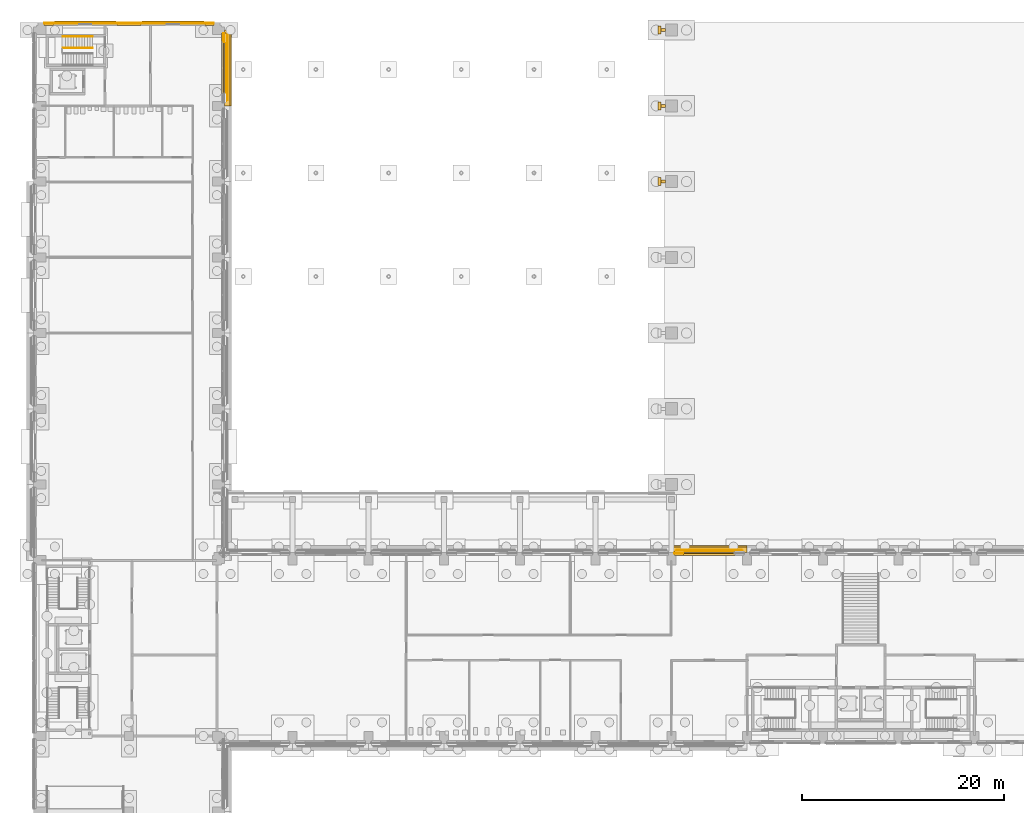
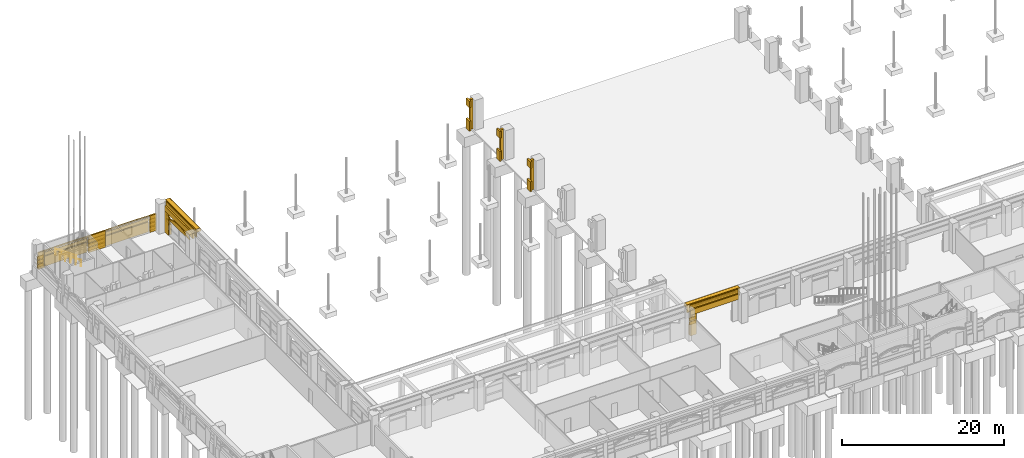
# One storey, part 76 of 99: 42 coverings, 2 railings.
"""IFC4 building model written with IfcOpenShell, lengths in metres."""

from ifc_helpers import new_model, si_unit, direction, frame, origin, origin_2d, place, context, subcontext, project, spatial, polyline, circle, outline, extrude, material, layer, layer_set, type_object, element, save


model = new_model("IFC4")

# Units and contexts
model_context = context("Model", 3, precision=1e-05, world=origin(), true_north=direction((0.0, 1.0)))
body_context = subcontext(model_context, "Body", "Model", "MODEL_VIEW")
ifc_project = project(units=[si_unit("LENGTHUNIT", "METRE"), si_unit("AREAUNIT", "SQUARE_METRE"), si_unit("VOLUMEUNIT", "CUBIC_METRE"), si_unit("PLANEANGLEUNIT", "RADIAN"), si_unit("MASSUNIT", "GRAM", prefix="KILO")], contexts=[model_context])

# Site, building, storey
site_placement = place(None, origin())
site = spatial("IfcSite", under=ifc_project, at=site_placement, CompositionType="ELEMENT")
building_placement = place(site_placement, origin())
building = spatial("IfcBuilding", under=site, at=building_placement, Name="Cour d'Honneur Mobility Palace", CompositionType="ELEMENT")
storey_placement = place(building_placement, origin())
storey = spatial("IfcBuildingStorey", under=building, at=storey_placement, Name="L00", CompositionType="ELEMENT", Elevation=0.0)

# Coverings
ifc_material_1 = material(Name="Cast limestone", Category="masonry")
ifc_layer_1 = layer(ifc_material_1, 0.050048828125)
ifc_layer_set_1 = layer_set([ifc_layer_1], Name="Cast limestone")
covering_type_1 = type_object("IfcCoveringType", Name="Arch hood", PredefinedType="CLADDING", material=ifc_layer_set_1)
covering_1_placement = place(storey_placement, frame((16.199951171875, 115.60009765625, 2.179931640625), z_axis=(0.0, 1.0, 0.0), x_axis=(-0.999557518193, 0.0, 0.029745047039)))
element("IfcCovering", 1, at=covering_1_placement, inside=storey, type_object=covering_type_1, Name="Arch hood AH-46", PredefinedType="CLADDING", context=body_context, shape_type="SweptSolid", body=[
    extrude(outline(polyline([(0.0, 0.0), (0.3939731540780232, 0.0), (0.7876587037125833, -0.0014569336089162513), (1.1815374521237358, -0.004629357372713222), (1.5753726286886405, -0.009265976719801103), (1.9691569714329225, -0.015610824247395037), (2.362897742330957, -0.023419867358279896), (2.7563509087855276, -0.032685844078080985), (3.149997274016691, -0.043667310952762814), (3.5436000674016066, -0.05611297341073553), (3.9371520269658995, -0.07026686404921434), (4.330660414683945, -0.08588495027098403), (4.7238811979585265, -0.10295997010166999), (5.1172951800097, -0.12175048008723666), (5.510665590214627, -0.14200518565609424), (5.903985166598931, -0.16396811940545788), (6.297261171136987, -0.18739524873811242), (6.303804210048556, 0.03247812135273917), (5.9105282055105, 0.055905250685393676), (5.517208629126196, 0.07786818443475732), (5.12383821892127, 0.09812289000361493), (4.730424236870096, 0.11691339998918157), (4.337203453595514, 0.13398841981986756), (3.9436950658774683, 0.14960650604163725), (3.550143106313176, 0.16376039668011602), (3.15654031292826, 0.17620605913808873), (2.762893947697097, 0.18718752601277056), (2.3694407812425258, 0.19645350273257167), (1.9757000103444915, 0.20426254584345654), (1.5819156676002095, 0.21060739337105044), (1.1880804910353049, 0.21524401271813837), (0.7942017426241523, 0.21841643648193532), (0.4005161929895923, 0.21987337009085156), (0.006543038911569049, 0.2198733700908516), (0.0, 0.0)])), origin(), (0.0, 0.0, -1.0), 0.050048828125),
])
covering_2_placement = place(storey_placement, frame((7.5, 115.60009765625, 2.179931640625), z_axis=(0.0, 1.0, 0.0), x_axis=(-0.999557518193, 0.0, 0.029745047039)))
element("IfcCovering", 2, at=covering_2_placement, inside=storey, type_object=covering_type_1, Name="Arch hood AH-47", PredefinedType="CLADDING", context=body_context, shape_type="SweptSolid", body=[
    extrude(outline(polyline([(0.0, 0.0), (0.3939731540780232, 0.0), (0.7879027363097985, -0.00146419558329091), (1.1815374521237358, -0.004629357372713222), (1.5753726286886405, -0.009265976719801103), (1.9691569714329225, -0.015610824247395037), (2.362897742330957, -0.023419867358279896), (2.7565949413827426, -0.032693106052455644), (3.149997274016691, -0.043667310952762814), (3.5436000674016066, -0.05611297341073553), (3.9371520269658995, -0.07026686404921434), (4.330660414683945, -0.08588495027098403), (4.7241252305557415, -0.10296723207604466), (5.1172951800097, -0.12175048008723666), (5.510665590214627, -0.14200518565609424), (5.903985166598931, -0.16396811940545788), (6.297261171136987, -0.18739524873811242), (6.303804210048556, 0.03247812135273917), (5.9105282055105, 0.055905250685393676), (5.517208629126196, 0.07786818443475732), (5.12383821892127, 0.09812289000361493), (4.730668269467311, 0.1169061380148069), (4.337203453595514, 0.13398841981986756), (3.9436950658774683, 0.14960650604163725), (3.550143106313176, 0.16376039668011602), (3.15654031292826, 0.17620605913808873), (2.763137980294312, 0.1871802640383959), (2.3694407812425258, 0.19645350273257167), (1.9757000103444915, 0.20426254584345654), (1.5819156676002095, 0.21060739337105044), (1.1880804910353049, 0.21524401271813837), (0.7944457752213675, 0.21840917450756064), (0.4005161929895923, 0.21987337009085156), (0.006543038911569049, 0.2198733700908516), (0.0, 0.0)])), origin(), (0.0, 0.0, -1.0), 0.050048828125),
])
ifc_material_2 = material(Name="Cast limestone", Category="masonry")
ifc_layer_2 = layer(ifc_material_2, 0.199951171875)
ifc_layer_set_2 = layer_set([ifc_layer_2], Name="Cast limestone")
covering_type_2 = type_object("IfcCoveringType", Name="Arch tympanum panel", PredefinedType="CLADDING", material=ifc_layer_set_2)
covering_3_placement = place(storey_placement, frame((18.050048828125, 108.60009765625, 2.39990234375), z_axis=(1.0, 0.0, 0.0), x_axis=(0.0, 1.0, 0.0)))
element("IfcCovering", 3, at=covering_3_placement, inside=storey, type_object=covering_type_2, Name="Arch tympanum panel TP-15", PredefinedType="CLADDING", context=body_context, shape_type="SweptSolid", body=[
    extrude(outline(polyline([(0.0, 0.0), (5.099853515625, 0.0), (5.099853515625, 0.0), (4.78125, 0.160400390625), (4.46240234375, 0.294921875), (4.1435546875, 0.406005859375), (3.824951171875, 0.495361328125), (3.506103515625, 0.5634765625), (3.1875, 0.61181640625), (2.86865234375, 0.640625), (2.5498046875, 0.650146484375), (2.231201171875, 0.640625), (1.912353515625, 0.61181640625), (1.59375, 0.5634765625), (1.27490234375, 0.495361328125), (0.9560546875, 0.406005859375), (0.637451171875, 0.294921875), (0.318603515625, 0.160400390625), (0.0, 0.0), (0.0, 0.0)])), origin(), (0.0, 0.0, -1.0), 0.199951171875),
])
ifc_material_3 = material(Name="Cast limestone", Category="masonry")
ifc_layer_3 = layer(ifc_material_3, 0.14990234375)
ifc_layer_set_3 = layer_set([ifc_layer_3], Name="Cast limestone")
covering_type_3 = type_object("IfcCoveringType", Name="Dentil course", PredefinedType="CLADDING", material=ifc_layer_set_3)
covering_4_placement = place(storey_placement, frame((0.0, 0.0, 3.949951171875)))
element("IfcCovering", 4, at=covering_4_placement, inside=storey, type_object=covering_type_3, Name="Dentil course DC-48", PredefinedType="CLADDING", context=body_context, shape_type="SweptSolid", body=[
    extrude(outline(polyline([(69.449951171875, 63.300048828125), (62.85009765625, 63.300048828125), (62.85009765625, 63.330078125), (62.85009765625, 63.330078125), (62.928466796875, 63.330078125), (62.928466796875, 63.449951171875), (63.085693359375, 63.449951171875), (63.085693359375, 63.330078125), (63.164306640625, 63.330078125), (63.164306640625, 63.330078125), (63.242919921875, 63.330078125), (63.242919921875, 63.449951171875), (63.39990234375, 63.449951171875), (63.39990234375, 63.330078125), (63.478515625, 63.330078125), (63.478515625, 63.330078125), (63.55712890625, 63.330078125), (63.55712890625, 63.449951171875), (63.71435546875, 63.449951171875), (63.71435546875, 63.330078125), (63.79296875, 63.330078125), (63.79296875, 63.330078125), (63.871337890625, 63.330078125), (63.871337890625, 63.449951171875), (64.028564453125, 63.449951171875), (64.028564453125, 63.330078125), (64.107177734375, 63.330078125), (64.107177734375, 63.330078125), (64.185791015625, 63.330078125), (64.185791015625, 63.449951171875), (64.3427734375, 63.449951171875), (64.3427734375, 63.330078125), (64.42138671875, 63.330078125), (64.42138671875, 63.330078125), (64.5, 63.330078125), (64.5, 63.449951171875), (64.6572265625, 63.449951171875), (64.6572265625, 63.330078125), (64.735595703125, 63.330078125), (64.735595703125, 63.330078125), (64.814208984375, 63.330078125), (64.814208984375, 63.449951171875), (64.971435546875, 63.449951171875), (64.971435546875, 63.330078125), (65.050048828125, 63.330078125), (65.050048828125, 63.330078125), (65.128662109375, 63.330078125), (65.128662109375, 63.449951171875), (65.28564453125, 63.449951171875), (65.28564453125, 63.330078125), (65.3642578125, 63.330078125), (65.3642578125, 63.330078125), (65.44287109375, 63.330078125), (65.44287109375, 63.449951171875), (65.60009765625, 63.449951171875), (65.60009765625, 63.330078125), (65.678466796875, 63.330078125), (65.678466796875, 63.330078125), (65.757080078125, 63.330078125), (65.757080078125, 63.449951171875), (65.914306640625, 63.449951171875), (65.914306640625, 63.330078125), (65.992919921875, 63.330078125), (65.992919921875, 63.330078125), (66.071533203125, 63.330078125), (66.071533203125, 63.449951171875), (66.228515625, 63.449951171875), (66.228515625, 63.330078125), (66.30712890625, 63.330078125), (66.30712890625, 63.330078125), (66.3857421875, 63.330078125), (66.3857421875, 63.449951171875), (66.54296875, 63.449951171875), (66.54296875, 63.330078125), (66.621337890625, 63.330078125), (66.621337890625, 63.330078125), (66.699951171875, 63.330078125), (66.699951171875, 63.449951171875), (66.857177734375, 63.449951171875), (66.857177734375, 63.330078125), (66.935791015625, 63.330078125), (66.935791015625, 63.330078125), (67.014404296875, 63.330078125), (67.014404296875, 63.449951171875), (67.17138671875, 63.449951171875), (67.17138671875, 63.330078125), (67.25, 63.330078125), (67.25, 63.330078125), (67.32861328125, 63.330078125), (67.32861328125, 63.449951171875), (67.485595703125, 63.449951171875), (67.485595703125, 63.330078125), (67.564208984375, 63.330078125), (67.564208984375, 63.330078125), (67.642822265625, 63.330078125), (67.642822265625, 63.449951171875), (67.800048828125, 63.449951171875), (67.800048828125, 63.330078125), (67.878662109375, 63.330078125), (67.878662109375, 63.330078125), (67.95703125, 63.330078125), (67.95703125, 63.449951171875), (68.1142578125, 63.449951171875), (68.1142578125, 63.330078125), (68.19287109375, 63.330078125), (68.19287109375, 63.330078125), (68.271484375, 63.330078125), (68.271484375, 63.449951171875), (68.428466796875, 63.449951171875), (68.428466796875, 63.330078125), (68.507080078125, 63.330078125), (68.507080078125, 63.330078125), (68.585693359375, 63.330078125), (68.585693359375, 63.449951171875), (68.742919921875, 63.449951171875), (68.742919921875, 63.330078125), (68.821533203125, 63.330078125), (68.821533203125, 63.330078125), (68.89990234375, 63.330078125), (68.89990234375, 63.449951171875), (69.05712890625, 63.449951171875), (69.05712890625, 63.330078125), (69.1357421875, 63.330078125), (69.1357421875, 63.330078125), (69.21435546875, 63.330078125), (69.21435546875, 63.449951171875), (69.371337890625, 63.449951171875), (69.371337890625, 63.330078125), (69.449951171875, 63.330078125), (69.449951171875, 63.300048828125)])), origin(), (0.0, 0.0, 1.0), 0.150146484375),
])
covering_5_placement = place(storey_placement, frame((0.0, 0.0, 3.949951171875)))
element("IfcCovering", 5, at=covering_5_placement, inside=storey, type_object=covering_type_3, Name="Dentil course DC-61", PredefinedType="CLADDING", context=body_context, shape_type="SweptSolid", body=[
    extrude(outline(polyline([(18.300048828125, 107.85009765625), (18.300048828125, 114.449951171875), (18.330078125, 114.449951171875), (18.330078125, 114.449951171875), (18.330078125, 114.371337890625), (18.449951171875, 114.371337890625), (18.449951171875, 114.21435546875), (18.330078125, 114.21435546875), (18.330078125, 114.1357421875), (18.330078125, 114.1357421875), (18.330078125, 114.05712890625), (18.449951171875, 114.05712890625), (18.449951171875, 113.89990234375), (18.330078125, 113.89990234375), (18.330078125, 113.821533203125), (18.330078125, 113.821533203125), (18.330078125, 113.742919921875), (18.449951171875, 113.742919921875), (18.449951171875, 113.585693359375), (18.330078125, 113.585693359375), (18.330078125, 113.507080078125), (18.330078125, 113.507080078125), (18.330078125, 113.428466796875), (18.449951171875, 113.428466796875), (18.449951171875, 113.271484375), (18.330078125, 113.271484375), (18.330078125, 113.19287109375), (18.330078125, 113.19287109375), (18.330078125, 113.1142578125), (18.449951171875, 113.1142578125), (18.449951171875, 112.95703125), (18.330078125, 112.95703125), (18.330078125, 112.878662109375), (18.330078125, 112.878662109375), (18.330078125, 112.800048828125), (18.449951171875, 112.800048828125), (18.449951171875, 112.642822265625), (18.330078125, 112.642822265625), (18.330078125, 112.564208984375), (18.330078125, 112.564208984375), (18.330078125, 112.485595703125), (18.449951171875, 112.485595703125), (18.449951171875, 112.32861328125), (18.330078125, 112.32861328125), (18.330078125, 112.25), (18.330078125, 112.25), (18.330078125, 112.17138671875), (18.449951171875, 112.17138671875), (18.449951171875, 112.014404296875), (18.330078125, 112.014404296875), (18.330078125, 111.935791015625), (18.330078125, 111.935791015625), (18.330078125, 111.857177734375), (18.449951171875, 111.857177734375), (18.449951171875, 111.699951171875), (18.330078125, 111.699951171875), (18.330078125, 111.621337890625), (18.330078125, 111.621337890625), (18.330078125, 111.54296875), (18.449951171875, 111.54296875), (18.449951171875, 111.3857421875), (18.330078125, 111.3857421875), (18.330078125, 111.30712890625), (18.330078125, 111.30712890625), (18.330078125, 111.228515625), (18.449951171875, 111.228515625), (18.449951171875, 111.071533203125), (18.330078125, 111.071533203125), (18.330078125, 110.992919921875), (18.330078125, 110.992919921875), (18.330078125, 110.914306640625), (18.449951171875, 110.914306640625), (18.449951171875, 110.757080078125), (18.330078125, 110.757080078125), (18.330078125, 110.678466796875), (18.330078125, 110.678466796875), (18.330078125, 110.60009765625), (18.449951171875, 110.60009765625), (18.449951171875, 110.44287109375), (18.330078125, 110.44287109375), (18.330078125, 110.3642578125), (18.330078125, 110.3642578125), (18.330078125, 110.28564453125), (18.449951171875, 110.28564453125), (18.449951171875, 110.128662109375), (18.330078125, 110.128662109375), (18.330078125, 110.050048828125), (18.330078125, 110.050048828125), (18.330078125, 109.971435546875), (18.449951171875, 109.971435546875), (18.449951171875, 109.814208984375), (18.330078125, 109.814208984375), (18.330078125, 109.735595703125), (18.330078125, 109.735595703125), (18.330078125, 109.6572265625), (18.449951171875, 109.6572265625), (18.449951171875, 109.5), (18.330078125, 109.5), (18.330078125, 109.42138671875), (18.330078125, 109.42138671875), (18.330078125, 109.3427734375), (18.449951171875, 109.3427734375), (18.449951171875, 109.185791015625), (18.330078125, 109.185791015625), (18.330078125, 109.107177734375), (18.330078125, 109.107177734375), (18.330078125, 109.028564453125), (18.449951171875, 109.028564453125), (18.449951171875, 108.871337890625), (18.330078125, 108.871337890625), (18.330078125, 108.79296875), (18.330078125, 108.79296875), (18.330078125, 108.71435546875), (18.449951171875, 108.71435546875), (18.449951171875, 108.55712890625), (18.330078125, 108.55712890625), (18.330078125, 108.478515625), (18.330078125, 108.478515625), (18.330078125, 108.39990234375), (18.449951171875, 108.39990234375), (18.449951171875, 108.242919921875), (18.330078125, 108.242919921875), (18.330078125, 108.164306640625), (18.330078125, 108.164306640625), (18.330078125, 108.085693359375), (18.449951171875, 108.085693359375), (18.449951171875, 107.928466796875), (18.330078125, 107.928466796875), (18.330078125, 107.85009765625), (18.300048828125, 107.85009765625)])), origin(), (0.0, 0.0, 1.0), 0.150146484375),
])
ifc_material_4 = material(Name="Cast limestone", Category="masonry")
ifc_layer_4 = layer(ifc_material_4, 0.699951171875)
ifc_layer_set_4 = layer_set([ifc_layer_4], Name="Cast limestone")
covering_type_4 = type_object("IfcCoveringType", Name="Entablature", PredefinedType="CLADDING", material=ifc_layer_set_4)
for number, where, z_axis, x_axis, name in (
    (6, (69.89990234375, 63.14990234375, 3.39990234375), (1.0, 0.0, 0.0), (0.0, 1.0, 0.0), "Entablature EN-48"),
    (7, (18.14990234375, 107.39990234375, 3.39990234375), (0.0, -1.0, 0.0), (1.0, 0.0, 0.0), "Entablature EN-61"),
):
    element("IfcCovering", number, at=place(storey_placement, frame(where, z_axis=z_axis, x_axis=x_axis)), inside=storey, type_object=covering_type_4, Name=name, PredefinedType="CLADDING", context=body_context, shape_type="SweptSolid", body=[
        extrude(outline(polyline([(0.0, 0.0), (0.150146484375, 0.0), (0.150146484375, 0.7001953125), (0.7001953125, 0.7001953125), (0.7001953125, 1.10009765625), (0.550048828125, 1.2001953125), (0.0, 1.2001953125), (0.0, 0.0)])), origin(), (0.0, 0.0, -1.0), 7.5),
    ])

# Railings
ifc_material_5 = material(Name="Stainless steel", Category="steel")
railing_type = type_object("IfcRailingType", Name="Handrail round 50", PredefinedType="HANDRAIL", material=ifc_material_5)
for number, where, name in (
    (8, (5.10009765625, 114.27490234375, 0.1875), "Handrail ST-NW1"),
    (9, (5.10009765625, 113.125, 0.1875), "Handrail ST-NW1"),
):
    element("IfcRailing", number, at=place(storey_placement, frame(where)), inside=storey, type_object=railing_type, Name=name, PredefinedType="HANDRAIL", context=body_context, shape_type="SweptSolid", body=[
        extrude(circle(Radius=0.02490234375, at=origin_2d()), frame((0.0, 0.0, 0.89501953125), z_axis=(-0.821389295411, 0.0, 0.570367973667), x_axis=(0.0, -1.0, 0.0)), (0.0, 0.0, 1.0), 3.615966796875),
        extrude(circle(Radius=0.02099609375, at=origin_2d()), origin(), (0.0, 0.0, 1.0), 0.869873046875),
        extrude(circle(Radius=0.02099609375, at=origin_2d()), frame((-0.74267578125, 0.0, 0.515625)), (0.0, 0.0, 1.0), 0.869873046875),
        extrude(circle(Radius=0.02099609375, at=origin_2d()), frame((-1.485107421875, 0.0, 1.03125)), (0.0, 0.0, 1.0), 0.869873046875),
        extrude(circle(Radius=0.02099609375, at=origin_2d()), frame((-2.2275390625, 0.0, 1.546875)), (0.0, 0.0, 1.0), 0.869873046875),
        extrude(circle(Radius=0.02099609375, at=origin_2d()), frame((-2.97021484375, 0.0, 2.0625)), (0.0, 0.0, 1.0), 0.869873046875),
    ])

# Coverings
ifc_material_6 = material(Name="Cast limestone", Category="masonry")
ifc_layer_5 = layer(ifc_material_6, 0.300048828125)
ifc_layer_set_5 = layer_set([ifc_layer_5], Name="Cast limestone")
covering_type_5 = type_object("IfcCoveringType", Name="Pier fin", PredefinedType="CLADDING", material=ifc_layer_set_5)
covering_6_placement = place(storey_placement, origin())
element("IfcCovering", 10, at=covering_6_placement, inside=storey, type_object=covering_type_5, Name="Pier fin HP-W6 L00", PredefinedType="CLADDING", context=body_context, shape_type="SweptSolid", body=[
    extrude(outline(polyline([(61.35009765625, 99.75), (61.800048828125, 99.75), (61.800048828125, 100.050048828125), (61.35009765625, 100.050048828125), (61.35009765625, 99.75)])), origin(), (0.0, 0.0, 1.0), 4.5),
])
covering_7_placement = place(storey_placement, origin())
element("IfcCovering", 11, at=covering_7_placement, inside=storey, type_object=covering_type_5, Name="Pier fin HP-W7 L00", PredefinedType="CLADDING", context=body_context, shape_type="SweptSolid", body=[
    extrude(outline(polyline([(61.35009765625, 107.25), (61.800048828125, 107.25), (61.800048828125, 107.550048828125), (61.35009765625, 107.550048828125), (61.35009765625, 107.25)])), origin(), (0.0, 0.0, 1.0), 4.5),
])
covering_8_placement = place(storey_placement, origin())
element("IfcCovering", 12, at=covering_8_placement, inside=storey, type_object=covering_type_5, Name="Pier fin HP-W8 L00", PredefinedType="CLADDING", context=body_context, shape_type="SweptSolid", body=[
    extrude(outline(polyline([(61.35009765625, 114.75), (61.800048828125, 114.75), (61.800048828125, 115.050048828125), (61.35009765625, 115.050048828125), (61.35009765625, 114.75)])), origin(), (0.0, 0.0, 1.0), 4.5),
])
ifc_material_7 = material(Name="Cast limestone", Category="masonry")
ifc_layer_6 = layer(ifc_material_7, 0.14990234375)
ifc_layer_set_6 = layer_set([ifc_layer_6], Name="Cast limestone")
covering_type_6 = type_object("IfcCoveringType", Name="Pilaster base", PredefinedType="CLADDING", material=ifc_layer_set_6)
covering_9_placement = place(storey_placement, origin())
element("IfcCovering", 13, at=covering_9_placement, inside=storey, type_object=covering_type_6, Name="Hall pilaster base HP-W6", PredefinedType="CLADDING", context=body_context, shape_type="SweptSolid", body=[
    extrude(outline(polyline([(61.10009765625, 99.5), (61.35009765625, 99.5), (61.35009765625, 100.300048828125), (61.10009765625, 100.300048828125), (61.10009765625, 99.5)])), origin(), (0.0, 0.0, 1.0), 1.5),
])
covering_10_placement = place(storey_placement, origin())
element("IfcCovering", 14, at=covering_10_placement, inside=storey, type_object=covering_type_6, Name="Hall pilaster base HP-W7", PredefinedType="CLADDING", context=body_context, shape_type="SweptSolid", body=[
    extrude(outline(polyline([(61.10009765625, 107.0), (61.35009765625, 107.0), (61.35009765625, 107.800048828125), (61.10009765625, 107.800048828125), (61.10009765625, 107.0)])), origin(), (0.0, 0.0, 1.0), 1.5),
])
covering_11_placement = place(storey_placement, origin())
element("IfcCovering", 15, at=covering_11_placement, inside=storey, type_object=covering_type_6, Name="Hall pilaster base HP-W8", PredefinedType="CLADDING", context=body_context, shape_type="SweptSolid", body=[
    extrude(outline(polyline([(61.10009765625, 114.5), (61.35009765625, 114.5), (61.35009765625, 115.300048828125), (61.10009765625, 115.300048828125), (61.10009765625, 114.5)])), origin(), (0.0, 0.0, 1.0), 1.5),
])
ifc_material_8 = material(Name="Cast limestone", Category="masonry")
ifc_layer_7 = layer(ifc_material_8, 0.1201171875)
ifc_layer_set_7 = layer_set([ifc_layer_7], Name="Cast limestone")
covering_type_7 = type_object("IfcCoveringType", Name="Pilaster capital", PredefinedType="CLADDING", material=ifc_layer_set_7)
covering_12_placement = place(storey_placement, frame((0.0, 0.0, 3.5)))
element("IfcCovering", 16, at=covering_12_placement, inside=storey, type_object=covering_type_7, Name="Hall pilaster capital HP-W6", PredefinedType="CLADDING", context=body_context, shape_type="SweptSolid", body=[
    extrude(outline(polyline([(61.10009765625, 99.5), (61.35009765625, 99.5), (61.35009765625, 100.300048828125), (61.10009765625, 100.300048828125), (61.10009765625, 99.5)])), origin(), (0.0, 0.0, 1.0), 1.0),
])
covering_13_placement = place(storey_placement, frame((0.0, 0.0, 3.5)))
element("IfcCovering", 17, at=covering_13_placement, inside=storey, type_object=covering_type_7, Name="Hall pilaster capital HP-W7", PredefinedType="CLADDING", context=body_context, shape_type="SweptSolid", body=[
    extrude(outline(polyline([(61.10009765625, 107.0), (61.35009765625, 107.0), (61.35009765625, 107.800048828125), (61.10009765625, 107.800048828125), (61.10009765625, 107.0)])), origin(), (0.0, 0.0, 1.0), 1.0),
])
covering_14_placement = place(storey_placement, frame((0.0, 0.0, 3.5)))
element("IfcCovering", 18, at=covering_14_placement, inside=storey, type_object=covering_type_7, Name="Hall pilaster capital HP-W8", PredefinedType="CLADDING", context=body_context, shape_type="SweptSolid", body=[
    extrude(outline(polyline([(61.10009765625, 114.5), (61.35009765625, 114.5), (61.35009765625, 115.300048828125), (61.10009765625, 115.300048828125), (61.10009765625, 114.5)])), origin(), (0.0, 0.0, 1.0), 1.0),
])
ifc_material_9 = material(Name="Cast limestone", Category="masonry")
ifc_layer_8 = layer(ifc_material_9, 0.25)
ifc_layer_set_8 = layer_set([ifc_layer_8], Name="Cast limestone")
covering_type_8 = type_object("IfcCoveringType", Name="Plinth course", PredefinedType="CLADDING", material=ifc_layer_set_8)
covering_15_placement = place(storey_placement, origin())
element("IfcCovering", 19, at=covering_15_placement, inside=storey, type_object=covering_type_8, Name="Plinth course PI-160", PredefinedType="CLADDING", context=body_context, shape_type="SweptSolid", body=[
    extrude(outline(polyline([(63.60009765625, 63.050048828125), (62.699951171875, 63.050048828125), (62.699951171875, 63.300048828125), (63.60009765625, 63.300048828125), (63.60009765625, 63.050048828125)])), origin(), (0.0, 0.0, 1.0), 1.5),
])
covering_16_placement = place(storey_placement, origin())
element("IfcCovering", 20, at=covering_16_placement, inside=storey, type_object=covering_type_8, Name="Plinth course PI-187", PredefinedType="CLADDING", context=body_context, shape_type="SweptSolid", body=[
    extrude(outline(polyline([(18.050048828125, 113.699951171875), (18.050048828125, 114.60009765625), (18.300048828125, 114.60009765625), (18.300048828125, 113.699951171875), (18.050048828125, 113.699951171875)])), origin(), (0.0, 0.0, 1.0), 1.5),
])
covering_17_placement = place(storey_placement, origin())
element("IfcCovering", 21, at=covering_17_placement, inside=storey, type_object=covering_type_8, Name="Plinth course PI-188", PredefinedType="CLADDING", context=body_context, shape_type="SweptSolid", body=[
    extrude(outline(polyline([(16.10009765625, 115.550048828125), (10.0, 115.550048828125), (10.0, 115.800048828125), (16.10009765625, 115.800048828125), (16.10009765625, 115.550048828125)])), origin(), (0.0, 0.0, 1.0), 1.5),
])
covering_18_placement = place(storey_placement, origin())
element("IfcCovering", 22, at=covering_18_placement, inside=storey, type_object=covering_type_8, Name="Plinth course PI-189", PredefinedType="CLADDING", context=body_context, shape_type="SweptSolid", body=[
    extrude(outline(polyline([(7.39990234375, 115.550048828125), (1.300048828125, 115.550048828125), (1.300048828125, 115.800048828125), (7.39990234375, 115.800048828125), (7.39990234375, 115.550048828125)])), origin(), (0.0, 0.0, 1.0), 1.5),
])
ifc_material_10 = material(Name="Cast limestone", Category="masonry")
ifc_layer_9 = layer(ifc_material_10, 0.199951171875)
ifc_layer_set_9 = layer_set([ifc_layer_9], Name="Cast limestone")
covering_type_9 = type_object("IfcCoveringType", Name="Rusticated jamb panel", PredefinedType="CLADDING", material=ifc_layer_set_9)
for number, where, z_axis, x_axis, name in (
    (23, (63.60009765625, 63.050048828125, 0.0), (0.0, 1.0, 0.0), (-1.0, 0.0, 0.0), "Rusticated jamb panel RP-133"),
    (24, (18.050048828125, 113.699951171875, 0.0), (1.0, 0.0, 0.0), (0.0, 1.0, 0.0), "Rusticated jamb panel RP-159"),
):
    element("IfcCovering", number, at=place(storey_placement, frame(where, z_axis=z_axis, x_axis=x_axis)), inside=storey, type_object=covering_type_9, Name=name, PredefinedType="CLADDING", context=body_context, shape_type="SweptSolid", body=[
        extrude(outline(polyline([(0.0, 0.0), (0.900146484375, 0.0), (0.900146484375, 3.10009765625), (0.0, 3.10009765625), (0.0, 0.0)])), origin(), (0.0, 0.0, -1.0), 0.199951171875),
    ])
covering_19_placement = place(storey_placement, frame((17.10009765625, 115.550048828125, 0.0), z_axis=(0.0, 1.0, 0.0), x_axis=(-1.0, 0.0, 0.0)))
element("IfcCovering", 25, at=covering_19_placement, inside=storey, type_object=covering_type_9, Name="Rusticated jamb panel RP-160", PredefinedType="CLADDING", context=body_context, shape_type="SweptSolid", body=[
    extrude(outline(polyline([(0.0, 0.0), (0.900146484375, 0.0), (0.900146484375, 2.5), (0.0, 2.5), (0.0, 0.0)])), origin(), (0.0, 0.0, -1.0), 0.199951171875),
])
covering_20_placement = place(storey_placement, frame((9.89990234375, 115.550048828125, 0.0), z_axis=(0.0, 1.0, 0.0), x_axis=(-1.0, 0.0, 0.0)))
element("IfcCovering", 26, at=covering_20_placement, inside=storey, type_object=covering_type_9, Name="Rusticated jamb panel RP-161", PredefinedType="CLADDING", context=body_context, shape_type="SweptSolid", body=[
    extrude(outline(polyline([(0.0, 0.0), (2.39990234375, 0.0), (2.39990234375, 2.5), (0.0, 2.5), (0.0, 0.0)])), origin(), (0.0, 0.0, -1.0), 0.199951171875),
])
covering_21_placement = place(storey_placement, frame((1.199951171875, 115.550048828125, 0.0), z_axis=(0.0, 1.0, 0.0), x_axis=(-1.0, 0.0, 0.0)))
element("IfcCovering", 27, at=covering_21_placement, inside=storey, type_object=covering_type_9, Name="Rusticated jamb panel RP-162", PredefinedType="CLADDING", context=body_context, shape_type="SweptSolid", body=[
    extrude(outline(polyline([(0.0, 0.0), (0.89990234375, 0.0), (0.89990234375, 2.5), (0.0, 2.5), (0.0, 0.0)])), origin(), (0.0, 0.0, -1.0), 0.199951171875),
])
ifc_material_11 = material(Name="Cast limestone", Category="masonry")
ifc_layer_10 = layer(ifc_material_11, 0.080078125)
ifc_layer_set_10 = layer_set([ifc_layer_10], Name="Cast limestone")
covering_type_10 = type_object("IfcCoveringType", Name="Rustication course", PredefinedType="CLADDING", material=ifc_layer_set_10)
for number, where, name in (
    (28, (0.0, 0.0, 1.5), "Rustication course RC-285"),
    (29, (0.0, 0.0, 2.10009765625), "Rustication course RC-286"),
):
    element("IfcCovering", number, at=place(storey_placement, frame(where)), inside=storey, type_object=covering_type_10, Name=name, PredefinedType="CLADDING", context=body_context, shape_type="SweptSolid", body=[
        extrude(outline(polyline([(63.60009765625, 63.050048828125), (62.699951171875, 63.050048828125), (62.699951171875, 63.1298828125), (63.60009765625, 63.1298828125), (63.60009765625, 63.050048828125)])), origin(), (0.0, 0.0, 1.0), 0.47998046875),
    ])
for number, where, name in (
    (30, (0.0, 0.0, 1.5), "Rustication course RC-338"),
    (31, (0.0, 0.0, 2.10009765625), "Rustication course RC-339"),
):
    element("IfcCovering", number, at=place(storey_placement, frame(where)), inside=storey, type_object=covering_type_10, Name=name, PredefinedType="CLADDING", context=body_context, shape_type="SweptSolid", body=[
        extrude(outline(polyline([(18.050048828125, 113.699951171875), (18.050048828125, 114.60009765625), (18.1298828125, 114.60009765625), (18.1298828125, 113.699951171875), (18.050048828125, 113.699951171875)])), origin(), (0.0, 0.0, 1.0), 0.47998046875),
    ])
for number, where, name in (
    (32, (0.0, 0.0, 0.1201171875), "Rustication course RC-340"),
    (33, (0.0, 0.0, 0.719970703125), "Rustication course RC-341"),
    (34, (0.0, 0.0, 1.320068359375), "Rustication course RC-342"),
):
    element("IfcCovering", number, at=place(storey_placement, frame(where)), inside=storey, type_object=covering_type_10, Name=name, PredefinedType="CLADDING", context=body_context, shape_type="SweptSolid", body=[
        extrude(outline(polyline([(17.10009765625, 115.550048828125), (16.199951171875, 115.550048828125), (16.199951171875, 115.6298828125), (17.10009765625, 115.6298828125), (17.10009765625, 115.550048828125)])), origin(), (0.0, 0.0, 1.0), 0.47998046875),
    ])
for number, where, name in (
    (35, (0.0, 0.0, 0.1201171875), "Rustication course RC-343"),
    (36, (0.0, 0.0, 0.719970703125), "Rustication course RC-344"),
    (37, (0.0, 0.0, 1.320068359375), "Rustication course RC-345"),
):
    element("IfcCovering", number, at=place(storey_placement, frame(where)), inside=storey, type_object=covering_type_10, Name=name, PredefinedType="CLADDING", context=body_context, shape_type="SweptSolid", body=[
        extrude(outline(polyline([(9.89990234375, 115.550048828125), (7.5, 115.550048828125), (7.5, 115.6298828125), (9.89990234375, 115.6298828125), (9.89990234375, 115.550048828125)])), origin(), (0.0, 0.0, 1.0), 0.47998046875),
    ])
for number, where, name in (
    (38, (0.0, 0.0, 0.1201171875), "Rustication course RC-346"),
    (39, (0.0, 0.0, 0.719970703125), "Rustication course RC-347"),
    (40, (0.0, 0.0, 1.320068359375), "Rustication course RC-348"),
):
    element("IfcCovering", number, at=place(storey_placement, frame(where)), inside=storey, type_object=covering_type_10, Name=name, PredefinedType="CLADDING", context=body_context, shape_type="SweptSolid", body=[
        extrude(outline(polyline([(1.199951171875, 115.550048828125), (0.300048828125, 115.550048828125), (0.300048828125, 115.6298828125), (1.199951171875, 115.6298828125), (1.199951171875, 115.550048828125)])), origin(), (0.0, 0.0, 1.0), 0.47998046875),
    ])
covering_22_placement = place(storey_placement, frame((0.0, 0.0, 1.6201171875)))
element("IfcCovering", 41, at=covering_22_placement, inside=storey, type_object=covering_type_10, Name="Rustication course RC-349", PredefinedType="CLADDING", context=body_context, shape_type="SweptSolid", body=[
    extrude(outline(polyline([(16.10009765625, 115.550048828125), (10.0, 115.550048828125), (10.0, 115.6298828125), (16.10009765625, 115.6298828125), (16.10009765625, 115.550048828125)])), origin(), (0.0, 0.0, 1.0), 0.47998046875),
])
covering_23_placement = place(storey_placement, frame((0.0, 0.0, 1.6201171875)))
element("IfcCovering", 42, at=covering_23_placement, inside=storey, type_object=covering_type_10, Name="Rustication course RC-350", PredefinedType="CLADDING", context=body_context, shape_type="SweptSolid", body=[
    extrude(outline(polyline([(7.39990234375, 115.550048828125), (1.300048828125, 115.550048828125), (1.300048828125, 115.6298828125), (7.39990234375, 115.6298828125), (7.39990234375, 115.550048828125)])), origin(), (0.0, 0.0, 1.0), 0.47998046875),
])
ifc_material_12 = material(Name="Cast limestone", Category="masonry")
ifc_layer_11 = layer(ifc_material_12, 0.25)
ifc_layer_set_11 = layer_set([ifc_layer_11], Name="Cast limestone")
covering_type_11 = type_object("IfcCoveringType", Name="Spandrel cladding", PredefinedType="CLADDING", material=ifc_layer_set_11)
for number, where, z_axis, x_axis, name in (
    (43, (69.60009765625, 62.85009765625, 3.10009765625), (1.0, 0.0, 0.0), (0.0, 1.0, 0.0), "Spandrel cladding SK-48"),
    (44, (17.85009765625, 107.699951171875, 3.10009765625), (0.0, -1.0, 0.0), (1.0, 0.0, 0.0), "Spandrel cladding SK-61"),
):
    element("IfcCovering", number, at=place(storey_placement, frame(where, z_axis=z_axis, x_axis=x_axis)), inside=storey, type_object=covering_type_11, Name=name, PredefinedType="CLADDING", context=body_context, shape_type="SweptSolid", body=[
        extrude(outline(polyline([(0.0, 0.0), (0.25, 0.0), (0.25, 1.39990234375), (0.199951171875, 1.39990234375), (0.199951171875, 0.7998046875), (0.0, 0.7998046875), (0.0, 0.0)])), origin(), (0.0, 0.0, -1.0), 6.89990234375),
    ])

save(model, "model.ifc")
